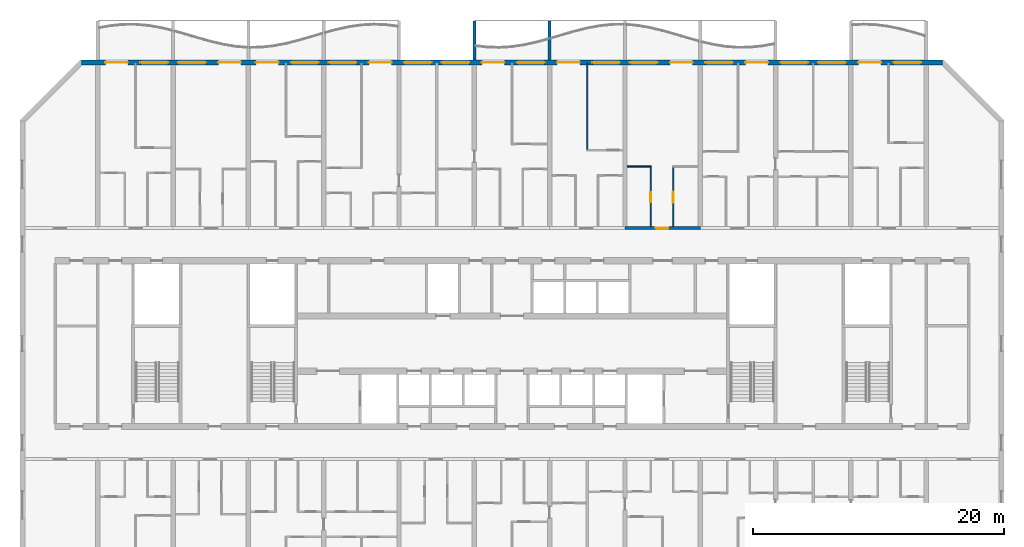
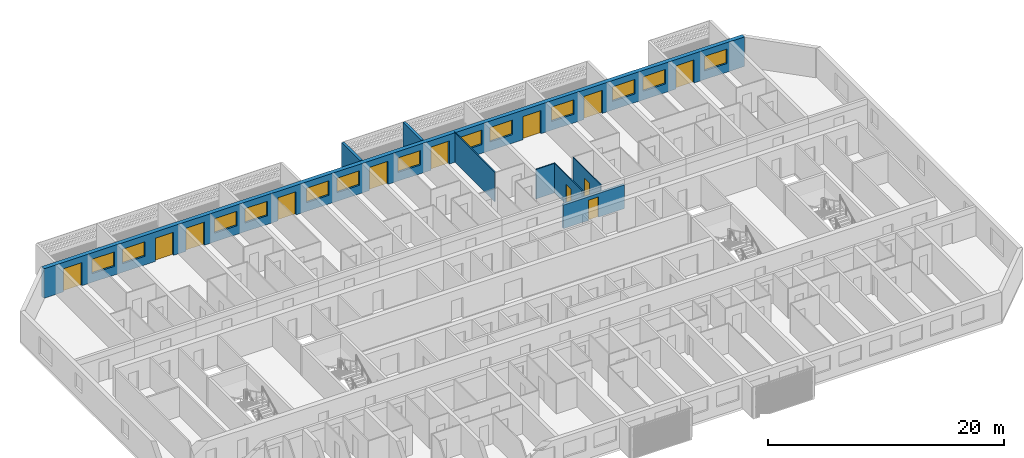
# One storey, part 11 of 24: 13 windows, 12 doors, 8 walls, 25 openings.
"""IFC4 building model written with IfcOpenShell, lengths in metres."""

from ifc_helpers import new_model, si_unit, direction, frame, frame_2d, origin, place, context, subcontext, project, spatial, polyline, rectangle, outline, extrude, source, transform, mapped, material, layer, layer_set, type_object, element, fill, save


model = new_model("IFC4")

# Units and contexts
model_context = context("Model", 3, precision=1e-05, world=origin(), true_north=direction((0.0, 1.0)))
body_context = subcontext(model_context, "Body", "Model", "MODEL_VIEW")
ifc_project = project(units=[si_unit("LENGTHUNIT", "METRE"), si_unit("AREAUNIT", "SQUARE_METRE"), si_unit("VOLUMEUNIT", "CUBIC_METRE"), si_unit("PLANEANGLEUNIT", "RADIAN"), si_unit("MASSUNIT", "GRAM", prefix="KILO")], contexts=[model_context])

# Site, building, storey
site_placement = place(None, origin())
site = spatial("IfcSite", under=ifc_project, at=site_placement, CompositionType="ELEMENT")
building_placement = place(site_placement, origin())
building = spatial("IfcBuilding", under=site, at=building_placement, Name="Poui Terraces", CompositionType="ELEMENT")
storey_placement = place(building_placement, frame((0.0, 0.0, 109.199951171875)))
storey = spatial("IfcBuildingStorey", under=building, at=storey_placement, Name="L30", CompositionType="ELEMENT", Elevation=109.199951171875)

# Wall, opening, door
ifc_material_1 = material(Name="Concrete 65 MPa", Category="concrete")
ifc_layer_1 = layer(ifc_material_1, 0.25)
ifc_layer_set_1 = layer_set([ifc_layer_1], Name="Concrete 65 MPa")
wall_type_1 = type_object("IfcWallType", Name="CORRIDOR WALL 250 65MPa", PredefinedType="SHEAR", material=ifc_layer_set_1)
wall_1_placement = place(storey_placement, frame((60.0, 30.39990234375, 0.0), z_axis=(0.0, 0.0, 1.0), x_axis=(1.0, 0.0, 0.0)))
wall_1 = element("IfcWall", 1, at=wall_1_placement, inside=storey, type_object=wall_type_1, Name="CORRIDOR WALL LINE E BAY 9", PredefinedType="SHEAR", context=body_context, shape_type="SweptSolid", body=[
    extrude(rectangle(XDim=6.0, YDim=0.25, at=frame_2d((3.0, 0.0))), origin(), (0.0, 0.0, 1.0), 2.4599609375),
])
opening_1_placement = place(wall_1_placement, frame((2.449951171875, 0.0, 0.0)))
opening_1 = element("IfcOpeningElement", 2, at=opening_1_placement, cuts=wall_1, Name="Opening FD30S", PredefinedType="OPENING", context=body_context, shape_type="SweptSolid", body=[
    extrude(rectangle(XDim=1.0, YDim=2.10009765625, at=frame_2d((0.5, 1.050048828125))), frame((0.0, 0.135009765625, 0.0), z_axis=(0.0, -1.0, 0.0), x_axis=(1.0, 0.0, 0.0)), (0.0, 0.0, 1.0), 0.27001953125),
])
ifc_material_2 = material(Name="Steel fire door", Category="steel")
door_type_1 = type_object("IfcDoorType", Name="FLAT ENTRANCE DOOR 1000 X 2100", OperationType="NOTDEFINED", PredefinedType="DOOR", material=ifc_material_2)
door_1_placement = place(opening_1_placement, origin())
door_1 = element("IfcDoor", 3, at=door_1_placement, inside=storey, type_object=door_type_1, Name="FLAT ENTRANCE DOOR 059", OperationType="SINGLE_SWING_LEFT", OverallHeight=2.10009765625, OverallWidth=1.0, PredefinedType="DOOR", context=body_context, shape_type="SweptSolid", body=[
    extrude(rectangle(XDim=1.0, YDim=2.10009765625, at=frame_2d((0.5, 1.050048828125))), frame((0.0, 0.02490234375, 0.0), z_axis=(0.0, -1.0, 0.0), x_axis=(1.0, 0.0, 0.0)), (0.0, 0.0, 1.0), 0.050048828125),
])
fill(opening_1, door_1)

# Wall, openings, doors, windows
ifc_material_3 = material(Name="Precast concrete 40 MPa", Category="concrete")
ifc_layer_2 = layer(ifc_material_3, 0.39990234375)
ifc_layer_set_2 = layer_set([ifc_layer_2], Name="Precast concrete 40 MPa")
wall_type_2 = type_object("IfcWallType", Name="EXTERNAL WALL 400", PredefinedType="STANDARD", material=ifc_layer_set_2)
wall_2_placement = place(storey_placement, frame((85.317138671875, 43.60009765625, 0.0), z_axis=(0.0, 0.0, 1.0), x_axis=(-1.0, 0.0, 0.0)))
wall_2 = element("IfcWall", 4, at=wall_2_placement, inside=storey, type_object=wall_type_2, Name="EXTERNAL WALL N", PredefinedType="STANDARD", context=body_context, shape_type="SweptSolid", body=[
    extrude(rectangle(XDim=68.63427734375, YDim=0.39990234375, at=frame_2d((34.317138671875, 0.0))), origin(), (0.0, 0.0, 1.0), 3.06005859375),
])
opening_2_placement = place(wall_2_placement, frame((64.917236328125, 0.0, 0.0)))
opening_2 = element("IfcOpeningElement", 5, at=opening_2_placement, cuts=wall_2, Name="Opening BD1", PredefinedType="OPENING", context=body_context, shape_type="SweptSolid", body=[
    extrude(rectangle(XDim=1.800048828125, YDim=2.39990234375, at=frame_2d((0.89990234375, 1.199951171875))), frame((0.0, 0.2099609375, 0.0), z_axis=(0.0, -1.0, 0.0), x_axis=(1.0, 0.0, 0.0)), (0.0, 0.0, 1.0), 0.419921875),
])
opening_3_placement = place(wall_2_placement, frame((61.71728515625, 0.0, 0.89990234375)))
opening_3 = element("IfcOpeningElement", 6, at=opening_3_placement, cuts=wall_2, Name="Opening W1", PredefinedType="OPENING", context=body_context, shape_type="SweptSolid", body=[
    extrude(rectangle(XDim=2.199951171875, YDim=1.5, at=frame_2d((1.10009765625, 0.75))), frame((0.0, 0.2099609375, 0.0), z_axis=(0.0, -1.0, 0.0), x_axis=(1.0, 0.0, 0.0)), (0.0, 0.0, 1.0), 0.419921875),
])
opening_4_placement = place(wall_2_placement, frame((58.71728515625, 0.0, 0.89990234375)))
opening_4 = element("IfcOpeningElement", 7, at=opening_4_placement, cuts=wall_2, Name="Opening W1", PredefinedType="OPENING", context=body_context, shape_type="SweptSolid", body=[
    extrude(rectangle(XDim=2.199951171875, YDim=1.5, at=frame_2d((1.10009765625, 0.75))), frame((0.0, 0.2099609375, 0.0), z_axis=(0.0, -1.0, 0.0), x_axis=(1.0, 0.0, 0.0)), (0.0, 0.0, 1.0), 0.419921875),
])
opening_5_placement = place(wall_2_placement, frame((55.917236328125, 0.0, 0.0)))
opening_5 = element("IfcOpeningElement", 8, at=opening_5_placement, cuts=wall_2, Name="Opening BD1", PredefinedType="OPENING", context=body_context, shape_type="SweptSolid", body=[
    extrude(rectangle(XDim=1.800048828125, YDim=2.39990234375, at=frame_2d((0.89990234375, 1.199951171875))), frame((0.0, 0.2099609375, 0.0), z_axis=(0.0, -1.0, 0.0), x_axis=(1.0, 0.0, 0.0)), (0.0, 0.0, 1.0), 0.419921875),
])
opening_6_placement = place(wall_2_placement, frame((52.917236328125, 0.0, 0.0)))
opening_6 = element("IfcOpeningElement", 9, at=opening_6_placement, cuts=wall_2, Name="Opening BD1", PredefinedType="OPENING", context=body_context, shape_type="SweptSolid", body=[
    extrude(rectangle(XDim=1.800048828125, YDim=2.39990234375, at=frame_2d((0.89990234375, 1.199951171875))), frame((0.0, 0.2099609375, 0.0), z_axis=(0.0, -1.0, 0.0), x_axis=(1.0, 0.0, 0.0)), (0.0, 0.0, 1.0), 0.419921875),
])
opening_7_placement = place(wall_2_placement, frame((49.71728515625, 0.0, 0.89990234375)))
opening_7 = element("IfcOpeningElement", 10, at=opening_7_placement, cuts=wall_2, Name="Opening W1", PredefinedType="OPENING", context=body_context, shape_type="SweptSolid", body=[
    extrude(rectangle(XDim=2.199951171875, YDim=1.5, at=frame_2d((1.10009765625, 0.75))), frame((0.0, 0.2099609375, 0.0), z_axis=(0.0, -1.0, 0.0), x_axis=(1.0, 0.0, 0.0)), (0.0, 0.0, 1.0), 0.419921875),
])
opening_8_placement = place(wall_2_placement, frame((46.71728515625, 0.0, 0.89990234375)))
opening_8 = element("IfcOpeningElement", 11, at=opening_8_placement, cuts=wall_2, Name="Opening W1", PredefinedType="OPENING", context=body_context, shape_type="SweptSolid", body=[
    extrude(rectangle(XDim=2.199951171875, YDim=1.5, at=frame_2d((1.10009765625, 0.75))), frame((0.0, 0.2099609375, 0.0), z_axis=(0.0, -1.0, 0.0), x_axis=(1.0, 0.0, 0.0)), (0.0, 0.0, 1.0), 0.419921875),
])
opening_9_placement = place(wall_2_placement, frame((43.917236328125, 0.0, 0.0)))
opening_9 = element("IfcOpeningElement", 12, at=opening_9_placement, cuts=wall_2, Name="Opening BD1", PredefinedType="OPENING", context=body_context, shape_type="SweptSolid", body=[
    extrude(rectangle(XDim=1.800048828125, YDim=2.39990234375, at=frame_2d((0.89990234375, 1.199951171875))), frame((0.0, 0.2099609375, 0.0), z_axis=(0.0, -1.0, 0.0), x_axis=(1.0, 0.0, 0.0)), (0.0, 0.0, 1.0), 0.419921875),
])
opening_10_placement = place(wall_2_placement, frame((40.71728515625, 0.0, 0.89990234375)))
opening_10 = element("IfcOpeningElement", 13, at=opening_10_placement, cuts=wall_2, Name="Opening W1", PredefinedType="OPENING", context=body_context, shape_type="SweptSolid", body=[
    extrude(rectangle(XDim=2.199951171875, YDim=1.5, at=frame_2d((1.10009765625, 0.75))), frame((0.0, 0.2099609375, 0.0), z_axis=(0.0, -1.0, 0.0), x_axis=(1.0, 0.0, 0.0)), (0.0, 0.0, 1.0), 0.419921875),
])
opening_11_placement = place(wall_2_placement, frame((37.71728515625, 0.0, 0.89990234375)))
opening_11 = element("IfcOpeningElement", 14, at=opening_11_placement, cuts=wall_2, Name="Opening W1", PredefinedType="OPENING", context=body_context, shape_type="SweptSolid", body=[
    extrude(rectangle(XDim=2.199951171875, YDim=1.5, at=frame_2d((1.10009765625, 0.75))), frame((0.0, 0.2099609375, 0.0), z_axis=(0.0, -1.0, 0.0), x_axis=(1.0, 0.0, 0.0)), (0.0, 0.0, 1.0), 0.419921875),
])
opening_12_placement = place(wall_2_placement, frame((34.917236328125, 0.0, 0.0)))
opening_12 = element("IfcOpeningElement", 15, at=opening_12_placement, cuts=wall_2, Name="Opening BD1", PredefinedType="OPENING", context=body_context, shape_type="SweptSolid", body=[
    extrude(rectangle(XDim=1.800048828125, YDim=2.39990234375, at=frame_2d((0.89990234375, 1.199951171875))), frame((0.0, 0.2099609375, 0.0), z_axis=(0.0, -1.0, 0.0), x_axis=(1.0, 0.0, 0.0)), (0.0, 0.0, 1.0), 0.419921875),
])
opening_13_placement = place(wall_2_placement, frame((31.71728515625, 0.0, 0.89990234375)))
opening_13 = element("IfcOpeningElement", 16, at=opening_13_placement, cuts=wall_2, Name="Opening W1", PredefinedType="OPENING", context=body_context, shape_type="SweptSolid", body=[
    extrude(rectangle(XDim=2.199951171875, YDim=1.5, at=frame_2d((1.10009765625, 0.75))), frame((0.0, 0.2099609375, 0.0), z_axis=(0.0, -1.0, 0.0), x_axis=(1.0, 0.0, 0.0)), (0.0, 0.0, 1.0), 0.419921875),
])
opening_14_placement = place(wall_2_placement, frame((28.917236328125, 0.0, 0.0)))
opening_14 = element("IfcOpeningElement", 17, at=opening_14_placement, cuts=wall_2, Name="Opening BD1", PredefinedType="OPENING", context=body_context, shape_type="SweptSolid", body=[
    extrude(rectangle(XDim=1.800048828125, YDim=2.39990234375, at=frame_2d((0.89990234375, 1.199951171875))), frame((0.0, 0.2099609375, 0.0), z_axis=(0.0, -1.0, 0.0), x_axis=(1.0, 0.0, 0.0)), (0.0, 0.0, 1.0), 0.419921875),
])
opening_15_placement = place(wall_2_placement, frame((25.71728515625, 0.0, 0.89990234375)))
opening_15 = element("IfcOpeningElement", 18, at=opening_15_placement, cuts=wall_2, Name="Opening W1", PredefinedType="OPENING", context=body_context, shape_type="SweptSolid", body=[
    extrude(rectangle(XDim=2.199951171875, YDim=1.5, at=frame_2d((1.10009765625, 0.75))), frame((0.0, 0.2099609375, 0.0), z_axis=(0.0, -1.0, 0.0), x_axis=(1.0, 0.0, 0.0)), (0.0, 0.0, 1.0), 0.419921875),
])
opening_16_placement = place(wall_2_placement, frame((22.71728515625, 0.0, 0.89990234375)))
opening_16 = element("IfcOpeningElement", 19, at=opening_16_placement, cuts=wall_2, Name="Opening W1", PredefinedType="OPENING", context=body_context, shape_type="SweptSolid", body=[
    extrude(rectangle(XDim=2.199951171875, YDim=1.5, at=frame_2d((1.10009765625, 0.75))), frame((0.0, 0.2099609375, 0.0), z_axis=(0.0, -1.0, 0.0), x_axis=(1.0, 0.0, 0.0)), (0.0, 0.0, 1.0), 0.419921875),
])
opening_17_placement = place(wall_2_placement, frame((19.917236328125, 0.0, 0.0)))
opening_17 = element("IfcOpeningElement", 20, at=opening_17_placement, cuts=wall_2, Name="Opening BD1", PredefinedType="OPENING", context=body_context, shape_type="SweptSolid", body=[
    extrude(rectangle(XDim=1.800048828125, YDim=2.39990234375, at=frame_2d((0.89990234375, 1.199951171875))), frame((0.0, 0.2099609375, 0.0), z_axis=(0.0, -1.0, 0.0), x_axis=(1.0, 0.0, 0.0)), (0.0, 0.0, 1.0), 0.419921875),
])
opening_18_placement = place(wall_2_placement, frame((16.71728515625, 0.0, 0.89990234375)))
opening_18 = element("IfcOpeningElement", 21, at=opening_18_placement, cuts=wall_2, Name="Opening W1", PredefinedType="OPENING", context=body_context, shape_type="SweptSolid", body=[
    extrude(rectangle(XDim=2.199951171875, YDim=1.5, at=frame_2d((1.10009765625, 0.75))), frame((0.0, 0.2099609375, 0.0), z_axis=(0.0, -1.0, 0.0), x_axis=(1.0, 0.0, 0.0)), (0.0, 0.0, 1.0), 0.419921875),
])
opening_19_placement = place(wall_2_placement, frame((13.917236328125, 0.0, 0.0)))
opening_19 = element("IfcOpeningElement", 22, at=opening_19_placement, cuts=wall_2, Name="Opening BD1", PredefinedType="OPENING", context=body_context, shape_type="SweptSolid", body=[
    extrude(rectangle(XDim=1.800048828125, YDim=2.39990234375, at=frame_2d((0.89990234375, 1.199951171875))), frame((0.0, 0.2099609375, 0.0), z_axis=(0.0, -1.0, 0.0), x_axis=(1.0, 0.0, 0.0)), (0.0, 0.0, 1.0), 0.419921875),
])
opening_20_placement = place(wall_2_placement, frame((10.71728515625, 0.0, 0.89990234375)))
opening_20 = element("IfcOpeningElement", 23, at=opening_20_placement, cuts=wall_2, Name="Opening W1", PredefinedType="OPENING", context=body_context, shape_type="SweptSolid", body=[
    extrude(rectangle(XDim=2.199951171875, YDim=1.5, at=frame_2d((1.10009765625, 0.75))), frame((0.0, 0.2099609375, 0.0), z_axis=(0.0, -1.0, 0.0), x_axis=(1.0, 0.0, 0.0)), (0.0, 0.0, 1.0), 0.419921875),
])
opening_21_placement = place(wall_2_placement, frame((7.71728515625, 0.0, 0.89990234375)))
opening_21 = element("IfcOpeningElement", 24, at=opening_21_placement, cuts=wall_2, Name="Opening W1", PredefinedType="OPENING", context=body_context, shape_type="SweptSolid", body=[
    extrude(rectangle(XDim=2.199951171875, YDim=1.5, at=frame_2d((1.10009765625, 0.75))), frame((0.0, 0.2099609375, 0.0), z_axis=(0.0, -1.0, 0.0), x_axis=(1.0, 0.0, 0.0)), (0.0, 0.0, 1.0), 0.419921875),
])
opening_22_placement = place(wall_2_placement, frame((4.917236328125, 0.0, 0.0)))
opening_22 = element("IfcOpeningElement", 25, at=opening_22_placement, cuts=wall_2, Name="Opening BD1", PredefinedType="OPENING", context=body_context, shape_type="SweptSolid", body=[
    extrude(rectangle(XDim=1.800048828125, YDim=2.39990234375, at=frame_2d((0.89990234375, 1.199951171875))), frame((0.0, 0.2099609375, 0.0), z_axis=(0.0, -1.0, 0.0), x_axis=(1.0, 0.0, 0.0)), (0.0, 0.0, 1.0), 0.419921875),
])
opening_23_placement = place(wall_2_placement, frame((1.71728515625, 0.0, 0.89990234375)))
opening_23 = element("IfcOpeningElement", 26, at=opening_23_placement, cuts=wall_2, Name="Opening W1", PredefinedType="OPENING", context=body_context, shape_type="SweptSolid", body=[
    extrude(rectangle(XDim=2.199951171875, YDim=1.5, at=frame_2d((1.10009765625, 0.75))), frame((0.0, 0.2099609375, 0.0), z_axis=(0.0, -1.0, 0.0), x_axis=(1.0, 0.0, 0.0)), (0.0, 0.0, 1.0), 0.419921875),
])
ifc_material_4 = material(Name="Clear glass in aluminium frame", Category="aluminium")
door_type_2 = type_object("IfcDoorType", Name="BALCONY DOOR 1800X2400", OperationType="DOUBLE_DOOR_SLIDING", PredefinedType="DOOR", material=ifc_material_4)
door_2_placement = place(opening_2_placement, origin())
door_2 = element("IfcDoor", 27, at=door_2_placement, inside=storey, type_object=door_type_2, Name="BD1 BALCONY DOOR", OperationType="DOUBLE_DOOR_SLIDING", OverallHeight=2.39990234375, OverallWidth=1.800048828125, PredefinedType="DOOR", context=body_context, shape_type="SweptSolid", body=[
    extrude(rectangle(XDim=1.800048828125, YDim=2.39990234375, at=frame_2d((0.89990234375, 1.199951171875))), frame((0.0, 0.02490234375, 0.0), z_axis=(0.0, -1.0, 0.0), x_axis=(1.0, 0.0, 0.0)), (0.0, 0.0, 1.0), 0.050048828125),
])
fill(opening_2, door_2)
door_3_placement = place(opening_5_placement, origin())
door_3 = element("IfcDoor", 28, at=door_3_placement, inside=storey, type_object=door_type_2, Name="BD1 BALCONY DOOR", OperationType="DOUBLE_DOOR_SLIDING", OverallHeight=2.39990234375, OverallWidth=1.800048828125, PredefinedType="DOOR", context=body_context, shape_type="SweptSolid", body=[
    extrude(rectangle(XDim=1.800048828125, YDim=2.39990234375, at=frame_2d((0.89990234375, 1.199951171875))), frame((0.0, 0.02490234375, 0.0), z_axis=(0.0, -1.0, 0.0), x_axis=(1.0, 0.0, 0.0)), (0.0, 0.0, 1.0), 0.050048828125),
])
fill(opening_5, door_3)
door_4_placement = place(opening_6_placement, origin())
door_4 = element("IfcDoor", 29, at=door_4_placement, inside=storey, type_object=door_type_2, Name="BD1 BALCONY DOOR", OperationType="DOUBLE_DOOR_SLIDING", OverallHeight=2.39990234375, OverallWidth=1.800048828125, PredefinedType="DOOR", context=body_context, shape_type="SweptSolid", body=[
    extrude(rectangle(XDim=1.800048828125, YDim=2.39990234375, at=frame_2d((0.89990234375, 1.199951171875))), frame((0.0, 0.02490234375, 0.0), z_axis=(0.0, -1.0, 0.0), x_axis=(1.0, 0.0, 0.0)), (0.0, 0.0, 1.0), 0.050048828125),
])
fill(opening_6, door_4)
door_5_placement = place(opening_9_placement, origin())
door_5 = element("IfcDoor", 30, at=door_5_placement, inside=storey, type_object=door_type_2, Name="BD1 BALCONY DOOR", OperationType="DOUBLE_DOOR_SLIDING", OverallHeight=2.39990234375, OverallWidth=1.800048828125, PredefinedType="DOOR", context=body_context, shape_type="SweptSolid", body=[
    extrude(rectangle(XDim=1.800048828125, YDim=2.39990234375, at=frame_2d((0.89990234375, 1.199951171875))), frame((0.0, 0.02490234375, 0.0), z_axis=(0.0, -1.0, 0.0), x_axis=(1.0, 0.0, 0.0)), (0.0, 0.0, 1.0), 0.050048828125),
])
fill(opening_9, door_5)
door_6_placement = place(opening_12_placement, origin())
door_6 = element("IfcDoor", 31, at=door_6_placement, inside=storey, type_object=door_type_2, Name="BD1 BALCONY DOOR", OperationType="DOUBLE_DOOR_SLIDING", OverallHeight=2.39990234375, OverallWidth=1.800048828125, PredefinedType="DOOR", context=body_context, shape_type="SweptSolid", body=[
    extrude(rectangle(XDim=1.800048828125, YDim=2.39990234375, at=frame_2d((0.89990234375, 1.199951171875))), frame((0.0, 0.02490234375, 0.0), z_axis=(0.0, -1.0, 0.0), x_axis=(1.0, 0.0, 0.0)), (0.0, 0.0, 1.0), 0.050048828125),
])
fill(opening_12, door_6)
door_7_placement = place(opening_14_placement, origin())
door_7 = element("IfcDoor", 32, at=door_7_placement, inside=storey, type_object=door_type_2, Name="BD1 BALCONY DOOR", OperationType="DOUBLE_DOOR_SLIDING", OverallHeight=2.39990234375, OverallWidth=1.800048828125, PredefinedType="DOOR", context=body_context, shape_type="SweptSolid", body=[
    extrude(rectangle(XDim=1.800048828125, YDim=2.39990234375, at=frame_2d((0.89990234375, 1.199951171875))), frame((0.0, 0.02490234375, 0.0), z_axis=(0.0, -1.0, 0.0), x_axis=(1.0, 0.0, 0.0)), (0.0, 0.0, 1.0), 0.050048828125),
])
fill(opening_14, door_7)
door_8_placement = place(opening_17_placement, origin())
door_8 = element("IfcDoor", 33, at=door_8_placement, inside=storey, type_object=door_type_2, Name="BD1 BALCONY DOOR", OperationType="DOUBLE_DOOR_SLIDING", OverallHeight=2.39990234375, OverallWidth=1.800048828125, PredefinedType="DOOR", context=body_context, shape_type="SweptSolid", body=[
    extrude(rectangle(XDim=1.800048828125, YDim=2.39990234375, at=frame_2d((0.89990234375, 1.199951171875))), frame((0.0, 0.02490234375, 0.0), z_axis=(0.0, -1.0, 0.0), x_axis=(1.0, 0.0, 0.0)), (0.0, 0.0, 1.0), 0.050048828125),
])
fill(opening_17, door_8)
door_9_placement = place(opening_19_placement, origin())
door_9 = element("IfcDoor", 34, at=door_9_placement, inside=storey, type_object=door_type_2, Name="BD1 BALCONY DOOR", OperationType="DOUBLE_DOOR_SLIDING", OverallHeight=2.39990234375, OverallWidth=1.800048828125, PredefinedType="DOOR", context=body_context, shape_type="SweptSolid", body=[
    extrude(rectangle(XDim=1.800048828125, YDim=2.39990234375, at=frame_2d((0.89990234375, 1.199951171875))), frame((0.0, 0.02490234375, 0.0), z_axis=(0.0, -1.0, 0.0), x_axis=(1.0, 0.0, 0.0)), (0.0, 0.0, 1.0), 0.050048828125),
])
fill(opening_19, door_9)
door_10_placement = place(opening_22_placement, origin())
door_10 = element("IfcDoor", 35, at=door_10_placement, inside=storey, type_object=door_type_2, Name="BD1 BALCONY DOOR", OperationType="DOUBLE_DOOR_SLIDING", OverallHeight=2.39990234375, OverallWidth=1.800048828125, PredefinedType="DOOR", context=body_context, shape_type="SweptSolid", body=[
    extrude(rectangle(XDim=1.800048828125, YDim=2.39990234375, at=frame_2d((0.89990234375, 1.199951171875))), frame((0.0, 0.02490234375, 0.0), z_axis=(0.0, -1.0, 0.0), x_axis=(1.0, 0.0, 0.0)), (0.0, 0.0, 1.0), 0.050048828125),
])
fill(opening_22, door_10)
window_type = type_object("IfcWindowType", Name="WINDOW 2200X1500", PartitioningType="DOUBLE_PANEL_HORIZONTAL", PredefinedType="WINDOW", material=ifc_material_4)
window_1_placement = place(opening_3_placement, origin())
window_1 = element("IfcWindow", 36, at=window_1_placement, inside=storey, type_object=window_type, Name="W1 WINDOW", OverallHeight=1.5, OverallWidth=2.199951171875, PartitioningType="DOUBLE_PANEL_HORIZONTAL", PredefinedType="WINDOW", context=body_context, shape_type="SweptSolid", body=[
    extrude(rectangle(XDim=2.199951171875, YDim=1.5, at=frame_2d((1.10009765625, 0.75))), frame((0.0, 0.030029296875, 0.0), z_axis=(0.0, -1.0, 0.0), x_axis=(1.0, 0.0, 0.0)), (0.0, 0.0, 1.0), 0.06005859375),
])
fill(opening_3, window_1)
window_2_placement = place(opening_4_placement, origin())
window_2 = element("IfcWindow", 37, at=window_2_placement, inside=storey, type_object=window_type, Name="W1 WINDOW", OverallHeight=1.5, OverallWidth=2.199951171875, PartitioningType="DOUBLE_PANEL_HORIZONTAL", PredefinedType="WINDOW", context=body_context, shape_type="SweptSolid", body=[
    extrude(rectangle(XDim=2.199951171875, YDim=1.5, at=frame_2d((1.10009765625, 0.75))), frame((0.0, 0.030029296875, 0.0), z_axis=(0.0, -1.0, 0.0), x_axis=(1.0, 0.0, 0.0)), (0.0, 0.0, 1.0), 0.06005859375),
])
fill(opening_4, window_2)
window_3_placement = place(opening_7_placement, origin())
window_3 = element("IfcWindow", 38, at=window_3_placement, inside=storey, type_object=window_type, Name="W1 WINDOW", OverallHeight=1.5, OverallWidth=2.199951171875, PartitioningType="DOUBLE_PANEL_HORIZONTAL", PredefinedType="WINDOW", context=body_context, shape_type="SweptSolid", body=[
    extrude(rectangle(XDim=2.199951171875, YDim=1.5, at=frame_2d((1.10009765625, 0.75))), frame((0.0, 0.030029296875, 0.0), z_axis=(0.0, -1.0, 0.0), x_axis=(1.0, 0.0, 0.0)), (0.0, 0.0, 1.0), 0.06005859375),
])
fill(opening_7, window_3)
window_4_placement = place(opening_8_placement, origin())
window_4 = element("IfcWindow", 39, at=window_4_placement, inside=storey, type_object=window_type, Name="W1 WINDOW", OverallHeight=1.5, OverallWidth=2.199951171875, PartitioningType="DOUBLE_PANEL_HORIZONTAL", PredefinedType="WINDOW", context=body_context, shape_type="SweptSolid", body=[
    extrude(rectangle(XDim=2.199951171875, YDim=1.5, at=frame_2d((1.10009765625, 0.75))), frame((0.0, 0.030029296875, 0.0), z_axis=(0.0, -1.0, 0.0), x_axis=(1.0, 0.0, 0.0)), (0.0, 0.0, 1.0), 0.06005859375),
])
fill(opening_8, window_4)
window_5_placement = place(opening_10_placement, origin())
window_5 = element("IfcWindow", 40, at=window_5_placement, inside=storey, type_object=window_type, Name="W1 WINDOW", OverallHeight=1.5, OverallWidth=2.199951171875, PartitioningType="DOUBLE_PANEL_HORIZONTAL", PredefinedType="WINDOW", context=body_context, shape_type="SweptSolid", body=[
    extrude(rectangle(XDim=2.199951171875, YDim=1.5, at=frame_2d((1.10009765625, 0.75))), frame((0.0, 0.030029296875, 0.0), z_axis=(0.0, -1.0, 0.0), x_axis=(1.0, 0.0, 0.0)), (0.0, 0.0, 1.0), 0.06005859375),
])
fill(opening_10, window_5)
window_6_placement = place(opening_11_placement, origin())
window_6 = element("IfcWindow", 41, at=window_6_placement, inside=storey, type_object=window_type, Name="W1 WINDOW", OverallHeight=1.5, OverallWidth=2.199951171875, PartitioningType="DOUBLE_PANEL_HORIZONTAL", PredefinedType="WINDOW", context=body_context, shape_type="SweptSolid", body=[
    extrude(rectangle(XDim=2.199951171875, YDim=1.5, at=frame_2d((1.10009765625, 0.75))), frame((0.0, 0.030029296875, 0.0), z_axis=(0.0, -1.0, 0.0), x_axis=(1.0, 0.0, 0.0)), (0.0, 0.0, 1.0), 0.06005859375),
])
fill(opening_11, window_6)
window_7_placement = place(opening_13_placement, origin())
window_7 = element("IfcWindow", 42, at=window_7_placement, inside=storey, type_object=window_type, Name="W1 WINDOW", OverallHeight=1.5, OverallWidth=2.199951171875, PartitioningType="DOUBLE_PANEL_HORIZONTAL", PredefinedType="WINDOW", context=body_context, shape_type="SweptSolid", body=[
    extrude(rectangle(XDim=2.199951171875, YDim=1.5, at=frame_2d((1.10009765625, 0.75))), frame((0.0, 0.030029296875, 0.0), z_axis=(0.0, -1.0, 0.0), x_axis=(1.0, 0.0, 0.0)), (0.0, 0.0, 1.0), 0.06005859375),
])
fill(opening_13, window_7)
window_8_placement = place(opening_15_placement, origin())
window_8 = element("IfcWindow", 43, at=window_8_placement, inside=storey, type_object=window_type, Name="W1 WINDOW", OverallHeight=1.5, OverallWidth=2.199951171875, PartitioningType="DOUBLE_PANEL_HORIZONTAL", PredefinedType="WINDOW", context=body_context, shape_type="SweptSolid", body=[
    extrude(rectangle(XDim=2.199951171875, YDim=1.5, at=frame_2d((1.10009765625, 0.75))), frame((0.0, 0.030029296875, 0.0), z_axis=(0.0, -1.0, 0.0), x_axis=(1.0, 0.0, 0.0)), (0.0, 0.0, 1.0), 0.06005859375),
])
fill(opening_15, window_8)
window_9_placement = place(opening_16_placement, origin())
window_9 = element("IfcWindow", 44, at=window_9_placement, inside=storey, type_object=window_type, Name="W1 WINDOW", OverallHeight=1.5, OverallWidth=2.199951171875, PartitioningType="DOUBLE_PANEL_HORIZONTAL", PredefinedType="WINDOW", context=body_context, shape_type="SweptSolid", body=[
    extrude(rectangle(XDim=2.199951171875, YDim=1.5, at=frame_2d((1.10009765625, 0.75))), frame((0.0, 0.030029296875, 0.0), z_axis=(0.0, -1.0, 0.0), x_axis=(1.0, 0.0, 0.0)), (0.0, 0.0, 1.0), 0.06005859375),
])
fill(opening_16, window_9)
window_10_placement = place(opening_18_placement, origin())
window_10 = element("IfcWindow", 45, at=window_10_placement, inside=storey, type_object=window_type, Name="W1 WINDOW", OverallHeight=1.5, OverallWidth=2.199951171875, PartitioningType="DOUBLE_PANEL_HORIZONTAL", PredefinedType="WINDOW", context=body_context, shape_type="SweptSolid", body=[
    extrude(rectangle(XDim=2.199951171875, YDim=1.5, at=frame_2d((1.10009765625, 0.75))), frame((0.0, 0.030029296875, 0.0), z_axis=(0.0, -1.0, 0.0), x_axis=(1.0, 0.0, 0.0)), (0.0, 0.0, 1.0), 0.06005859375),
])
fill(opening_18, window_10)
window_11_placement = place(opening_20_placement, origin())
window_11 = element("IfcWindow", 46, at=window_11_placement, inside=storey, type_object=window_type, Name="W1 WINDOW", OverallHeight=1.5, OverallWidth=2.199951171875, PartitioningType="DOUBLE_PANEL_HORIZONTAL", PredefinedType="WINDOW", context=body_context, shape_type="SweptSolid", body=[
    extrude(rectangle(XDim=2.199951171875, YDim=1.5, at=frame_2d((1.10009765625, 0.75))), frame((0.0, 0.030029296875, 0.0), z_axis=(0.0, -1.0, 0.0), x_axis=(1.0, 0.0, 0.0)), (0.0, 0.0, 1.0), 0.06005859375),
])
fill(opening_20, window_11)
window_12_placement = place(opening_21_placement, origin())
window_12 = element("IfcWindow", 47, at=window_12_placement, inside=storey, type_object=window_type, Name="W1 WINDOW", OverallHeight=1.5, OverallWidth=2.199951171875, PartitioningType="DOUBLE_PANEL_HORIZONTAL", PredefinedType="WINDOW", context=body_context, shape_type="SweptSolid", body=[
    extrude(rectangle(XDim=2.199951171875, YDim=1.5, at=frame_2d((1.10009765625, 0.75))), frame((0.0, 0.030029296875, 0.0), z_axis=(0.0, -1.0, 0.0), x_axis=(1.0, 0.0, 0.0)), (0.0, 0.0, 1.0), 0.06005859375),
])
fill(opening_21, window_12)
window_13_placement = place(opening_23_placement, origin())
window_13 = element("IfcWindow", 48, at=window_13_placement, inside=storey, type_object=window_type, Name="W1 WINDOW", OverallHeight=1.5, OverallWidth=2.199951171875, PartitioningType="DOUBLE_PANEL_HORIZONTAL", PredefinedType="WINDOW", context=body_context, shape_type="SweptSolid", body=[
    extrude(rectangle(XDim=2.199951171875, YDim=1.5, at=frame_2d((1.10009765625, 0.75))), frame((0.0, 0.030029296875, 0.0), z_axis=(0.0, -1.0, 0.0), x_axis=(1.0, 0.0, 0.0)), (0.0, 0.0, 1.0), 0.06005859375),
])
fill(opening_23, window_13)

# Walls
ifc_material_5 = material(Name="Plasterboard partition")
ifc_layer_3 = layer(ifc_material_5, 0.10009765625)
ifc_layer_set_3 = layer_set([ifc_layer_3], Name="Plasterboard partition")
wall_type_3 = type_object("IfcWallType", Name="FLAT PARTITION 100", PredefinedType="PARTITIONING", material=ifc_layer_set_3)
wall_3_placement = place(storey_placement, frame((60.18505859375, 35.300048828125, 0.0), z_axis=(0.0, 0.0, 1.0), x_axis=(1.0, 0.0, 0.0)))
element("IfcWall", 49, at=wall_3_placement, inside=storey, type_object=wall_type_3, Name="FLAT PARTITION 100", PredefinedType="PARTITIONING", context=body_context, shape_type="SweptSolid", body=[
    extrude(rectangle(XDim=1.9150390625, YDim=0.10009765625, at=frame_2d((0.95751953125, 0.0))), origin(), (0.0, 0.0, 1.0), 3.06005859375),
])
wall_4_placement = place(storey_placement, frame((57.0, 36.64990234375, 0.0), z_axis=(0.0, 0.0, 1.0), x_axis=(0.0, 1.0, 0.0)))
element("IfcWall", 50, at=wall_4_placement, inside=storey, type_object=wall_type_3, Name="FLAT PARTITION 100", PredefinedType="PARTITIONING", context=body_context, shape_type="SweptSolid", body=[
    extrude(rectangle(XDim=6.89013671875, YDim=0.10009765625, at=frame_2d((3.445068359375, 0.0))), origin(), (0.0, 0.0, 1.0), 3.06005859375),
])

# Wall, opening, door
wall_5_placement = place(storey_placement, frame((62.050048828125, 30.534912109375, 0.0), z_axis=(0.0, 0.0, 1.0), x_axis=(0.0, 1.0, 0.0)))
wall_5 = element("IfcWall", 51, at=wall_5_placement, inside=storey, type_object=wall_type_3, Name="FLAT PARTITION 100", PredefinedType="PARTITIONING", context=body_context, shape_type="SweptSolid", body=[
    extrude(rectangle(XDim=4.715087890625, YDim=0.10009765625, at=frame_2d((2.357421875, 0.0))), origin(), (0.0, 0.0, 1.0), 3.06005859375),
])
opening_24_placement = place(wall_5_placement, frame((1.9150390625, 0.0, 0.0)))
opening_24 = element("IfcOpeningElement", 52, at=opening_24_placement, cuts=wall_5, Name="Opening D80", PredefinedType="OPENING", context=body_context, shape_type="SweptSolid", body=[
    extrude(rectangle(XDim=0.800048828125, YDim=2.10009765625, at=frame_2d((0.39990234375, 1.050048828125))), frame((0.0, 0.06005859375, 0.0), z_axis=(0.0, -1.0, 0.0), x_axis=(1.0, 0.0, 0.0)), (0.0, 0.0, 1.0), 0.1201171875),
])
ifc_material_6 = material(Name="Solid core timber door", Category="wood")
door_type_3 = type_object("IfcDoorType", Name="BATHROOM, LAUNDRY AND STORE DOOR 800 X 2100", OperationType="NOTDEFINED", PredefinedType="DOOR", material=ifc_material_6)
door_11_placement = place(opening_24_placement, origin())
door_11 = element("IfcDoor", 53, at=door_11_placement, inside=storey, type_object=door_type_3, Name="BATHROOM, LAUNDRY AND STORE DOOR 058", OperationType="SINGLE_SWING_LEFT", OverallHeight=2.10009765625, OverallWidth=0.800048828125, PredefinedType="DOOR", context=body_context, shape_type="SweptSolid", body=[
    extrude(rectangle(XDim=0.800048828125, YDim=2.10009765625, at=frame_2d((0.39990234375, 1.050048828125))), frame((0.0, 0.02490234375, 0.0), z_axis=(0.0, -1.0, 0.0), x_axis=(1.0, 0.0, 0.0)), (0.0, 0.0, 1.0), 0.050048828125),
])
fill(opening_24, door_11)

wall_6_placement = place(storey_placement, frame((63.85009765625, 30.534912109375, 0.0), z_axis=(0.0, 0.0, 1.0), x_axis=(0.0, 1.0, 0.0)))
wall_6 = element("IfcWall", 54, at=wall_6_placement, inside=storey, type_object=wall_type_3, Name="FLAT PARTITION 100", PredefinedType="PARTITIONING", context=body_context, shape_type="SweptSolid", body=[
    extrude(rectangle(XDim=4.715087890625, YDim=0.10009765625, at=frame_2d((2.357421875, 0.0))), origin(), (0.0, 0.0, 1.0), 3.06005859375),
])
opening_25_placement = place(wall_6_placement, frame((1.864990234375, 0.0, 0.0)))
opening_25 = element("IfcOpeningElement", 55, at=opening_25_placement, cuts=wall_6, Name="Opening D90", PredefinedType="OPENING", context=body_context, shape_type="SweptSolid", body=[
    extrude(rectangle(XDim=0.89990234375, YDim=2.10009765625, at=frame_2d((0.449951171875, 1.050048828125))), frame((0.0, 0.06005859375, 0.0), z_axis=(0.0, -1.0, 0.0), x_axis=(1.0, 0.0, 0.0)), (0.0, 0.0, 1.0), 0.1201171875),
])
door_type_4 = type_object("IfcDoorType", Name="INTERNAL DOOR 900 X 2100", OperationType="NOTDEFINED", PredefinedType="DOOR", material=ifc_material_6)
door_12_placement = place(opening_25_placement, frame((0.89990234375, 0.0, 0.0), z_axis=(0.0, 0.0, 1.0), x_axis=(-1.0, 0.0, 0.0)))
door_12 = element("IfcDoor", 56, at=door_12_placement, inside=storey, type_object=door_type_4, Name="INTERNAL DOOR 060", OperationType="SINGLE_SWING_LEFT", OverallHeight=2.10009765625, OverallWidth=0.89990234375, PredefinedType="DOOR", context=body_context, shape_type="SweptSolid", body=[
    extrude(rectangle(XDim=0.89990234375, YDim=2.10009765625, at=frame_2d((0.449951171875, 1.050048828125))), frame((0.0, 0.02490234375, 0.0), z_axis=(0.0, -1.0, 0.0), x_axis=(1.0, 0.0, 0.0)), (0.0, 0.0, 1.0), 0.050048828125),
])
fill(opening_25, door_12)

# Walls
ifc_layer_4 = layer(ifc_material_3, 0.25)
ifc_layer_set_4 = layer_set([ifc_layer_4], Name="Precast concrete 40 MPa")
wall_type_4 = type_object("IfcWallType", Name="BALCONY FIN 250", PredefinedType="STANDARD", material=ifc_layer_set_4)
shared_shape = source(origin(), body_context, "Body", "SweptSolid", [
    extrude(outline(polyline([(0.0, 0.0), (0.25, 0.0), (0.25, 3.099853515625), (0.0, 3.099853515625), (0.0, 0.0)])), origin(), (0.0, 0.0, 1.0), 3.10009765625),
])
for number, where, name in (
    (57, (47.875, 43.800048828125, 0.0), "BALCONY FIN"),
    (58, (53.875, 43.800048828125, 0.0), "BALCONY FIN"),
):
    element("IfcWall", number, at=place(storey_placement, frame(where)), inside=storey, type_object=wall_type_4, Name=name, PredefinedType="STANDARD", context=body_context, shape_type="MappedRepresentation", body=[
        mapped(shared_shape, transform((0.0, 0.0, 0.0))),
    ])

save(model, "model.ifc")
